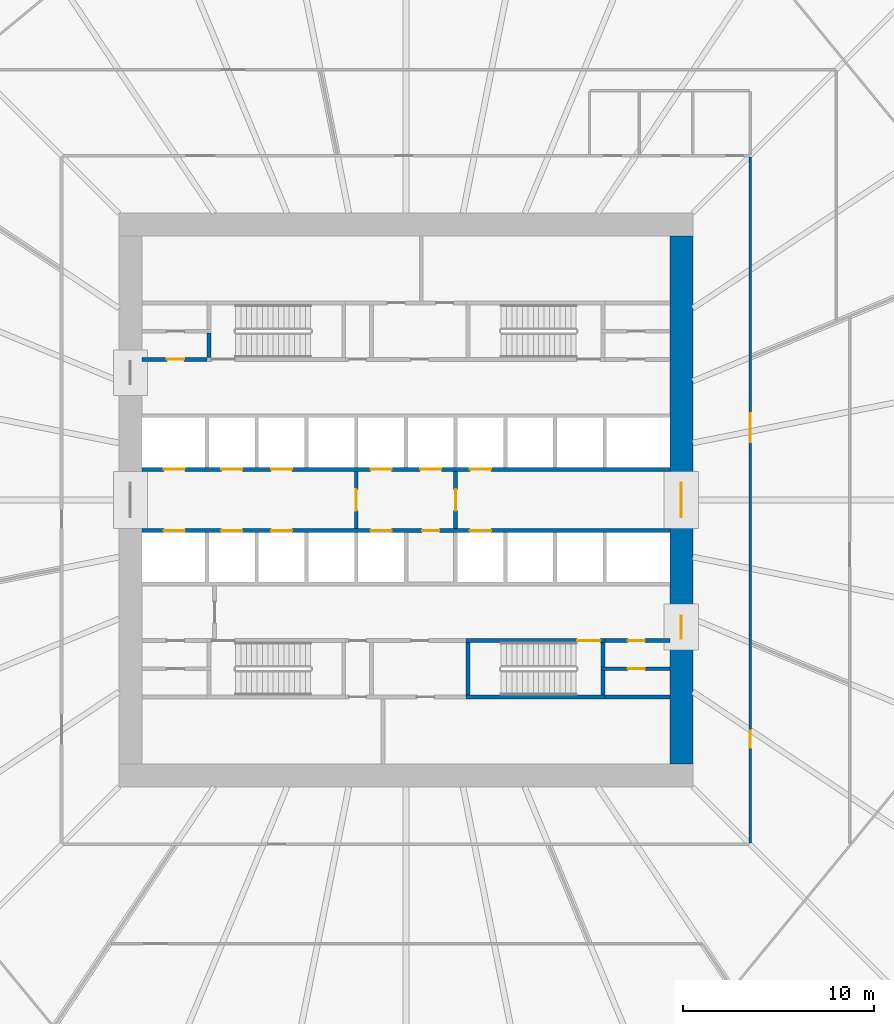
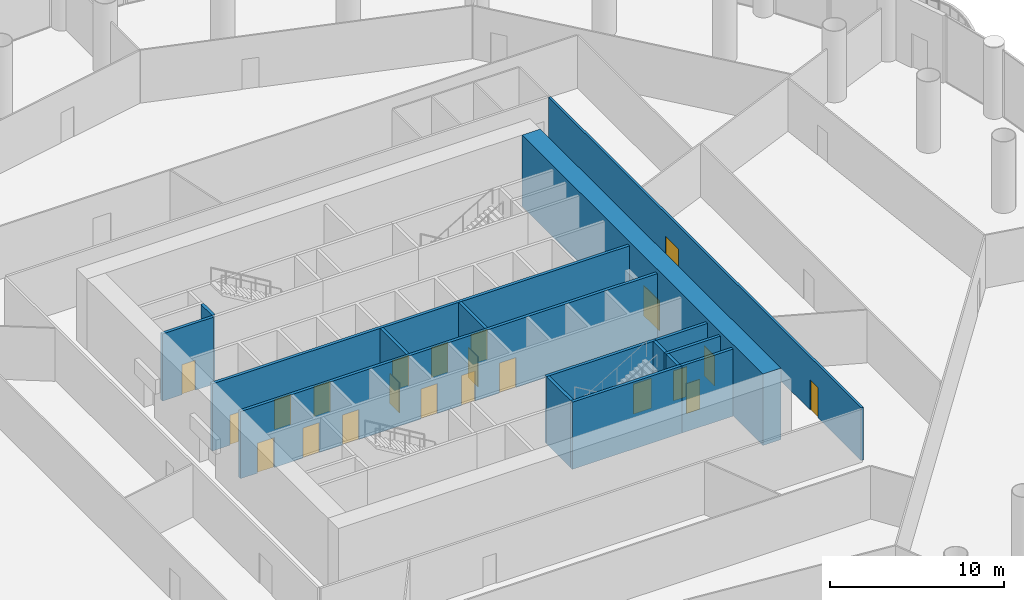
# One storey, part 26 of 38: 22 doors, 16 walls, 22 openings.
"""IFC4 building model written with IfcOpenShell, lengths in metres."""

import ifcopenshell
import ifcopenshell.guid

model = None  # the IFC model being written
_history = None  # IfcOwnerHistory: only IFC2X3 demands one
_inside = {}  # id of a spatial element -> (the spatial element, [elements in it])
_under = {}  # id of a project, library or spatial element -> (it, [spatial elements below it])
_declared = {}  # id of a project -> (the project, [libraries it declares])
_typed = {}  # id of a type object -> (the type object, [elements of that type])
_made_of = {}  # id of a material, layer set ... -> (it, [elements and type objects made of it])


def new_model(schema):
    """Start an empty IFC model of exactly this schema.

    Asked for "IFC4X3", IfcOpenShell would pick the latest addendum, in which some entities
    have other attributes; the version numbers below select the first issue.
    IFC2X3 requires an IfcOwnerHistory on every rooted entity: one is made here for all.
    """
    global model, _history
    if schema == "IFC4X3":
        model = ifcopenshell.file(schema_version=(4, 3, 0, 0))
    else:
        model = ifcopenshell.file(schema=schema)
    _inside.clear()
    _under.clear()
    _declared.clear()
    _typed.clear()
    _made_of.clear()
    _history = None
    if model.schema == "IFC2X3":
        org = make("IfcOrganization", Name="unknown")
        user = make(
            "IfcPersonAndOrganization",
            ThePerson=make("IfcPerson", FamilyName="unknown"),
            TheOrganization=org,
        )
        app = make(
            "IfcApplication",
            ApplicationDeveloper=org,
            Version="unknown",
            ApplicationFullName="unknown",
            ApplicationIdentifier="unknown",
        )
        _history = make(
            "IfcOwnerHistory",
            OwningUser=user,
            OwningApplication=app,
            ChangeAction="ADDED",
            CreationDate=0,
        )
    return model


def make(cls, **values):
    """One entity of the class cls with the attributes given. An attribute that is None is left unset."""
    return model.create_entity(
        cls, **{name: value for name, value in values.items() if value is not None}
    )


def rooted(cls, **values):
    """An entity with a GlobalId (a new one), such as an element, a storey or a relation."""
    return make(cls, GlobalId=ifcopenshell.guid.new(), OwnerHistory=_history, **values)


def si_unit(unit_type, name, prefix=None):
    """IfcSIUnit, for example si_unit("LENGTHUNIT", "METRE", prefix="MILLI")."""
    return make("IfcSIUnit", UnitType=unit_type, Prefix=prefix, Name=name)


def assignment(units):
    """IfcUnitAssignment: the units of a project."""
    return None if units is None else make("IfcUnitAssignment", Units=units)


def point(xyz):
    """IfcCartesianPoint."""
    return None if xyz is None else make("IfcCartesianPoint", Coordinates=xyz)


def direction(xyz):
    """IfcDirection."""
    return None if xyz is None else make("IfcDirection", DirectionRatios=xyz)


def frame(location, z_axis=None, x_axis=None):
    """IfcAxis2Placement3D, a coordinate frame: its origin and axes. An axis left out is left unset."""
    return make(
        "IfcAxis2Placement3D",
        Location=point(location),
        Axis=direction(z_axis),
        RefDirection=direction(x_axis),
    )


def frame_2d(location, x_axis=None):
    """IfcAxis2Placement2D, a coordinate frame in the plane: its origin and x axis."""
    return make(
        "IfcAxis2Placement2D", Location=point(location), RefDirection=direction(x_axis)
    )


def origin():
    """The frame at (0, 0, 0) with its axes left unset."""
    return frame((0.0, 0.0, 0.0))


def place(relative_to, where):
    """IfcLocalPlacement: puts the frame where relative to a parent placement (None: the world)."""
    return make(
        "IfcLocalPlacement", PlacementRelTo=relative_to, RelativePlacement=where
    )


def context(
    kind, dimensions, precision=None, world=None, true_north=None, identifier=None
):
    """IfcGeometricRepresentationContext, for example the 3D "Model" context."""
    return make(
        "IfcGeometricRepresentationContext",
        ContextIdentifier=identifier,
        ContextType=kind,
        CoordinateSpaceDimension=dimensions,
        Precision=precision,
        WorldCoordinateSystem=world,
        TrueNorth=true_north,
    )


def subcontext(parent, identifier, kind, view, scale=None):
    """IfcGeometricRepresentationSubContext, for example "Body" below "Model"."""
    return make(
        "IfcGeometricRepresentationSubContext",
        ContextIdentifier=identifier,
        ContextType=kind,
        ParentContext=parent,
        TargetScale=scale,
        TargetView=view,
    )


def project(units=None, contexts=None):
    """IfcProject with its units and contexts."""
    return rooted(
        "IfcProject",
        Name="project",
        RepresentationContexts=contexts,
        UnitsInContext=assignment(units),
    )


def spatial(cls, under=None, at=None, **own):
    """A site, building, storey or space (cls), placed at a placement, below another one or the project."""
    s = rooted(cls, ObjectPlacement=at, **own)
    if under is not None:
        _under.setdefault(under.id(), (under, []))[1].append(s)
    return s


def polyline(points):
    """IfcPolyline through the points."""
    return make("IfcPolyline", Points=[point(p) for p in points])


def profile(cls, at=None, kind="AREA", **sizes):
    """A parametric profile (cls). Its sizes go by their IFC names, for example OverallWidth=200.0."""
    return make(cls, ProfileType=kind, Position=at, **sizes)


def rectangle(**sizes):
    """IfcRectangleProfileDef."""
    return profile("IfcRectangleProfileDef", **sizes)


def outline(outer, holes=None, kind="AREA"):
    """IfcArbitraryClosedProfileDef: a profile drawn as a closed curve; with holes, ...WithVoids."""
    if holes is None:
        return make("IfcArbitraryClosedProfileDef", ProfileType=kind, OuterCurve=outer)
    return make(
        "IfcArbitraryProfileDefWithVoids",
        ProfileType=kind,
        OuterCurve=outer,
        InnerCurves=holes,
    )


def extrude(swept, where, along, depth):
    """IfcExtrudedAreaSolid: the profile swept, set in the frame where, extruded along a direction by depth."""
    return make(
        "IfcExtrudedAreaSolid",
        SweptArea=swept,
        Position=where,
        ExtrudedDirection=direction(along),
        Depth=depth,
    )


def shape(context_of_items, identifier, shape_type, items):
    """IfcShapeRepresentation: the items that make up one representation, for example the "Body"."""
    return make(
        "IfcShapeRepresentation",
        ContextOfItems=context_of_items,
        RepresentationIdentifier=identifier,
        RepresentationType=shape_type,
        Items=items,
    )


def material(Name=None, Category=None):
    """IfcMaterial."""
    return make("IfcMaterial", Name=Name, Category=Category)


def layer(
    of_material, thickness, ventilated=None, Name=None, Category=None, Priority=None
):
    """IfcMaterialLayer: one layer of a wall or slab, of a material (None: an air gap)."""
    return make(
        "IfcMaterialLayer",
        Material=of_material,
        LayerThickness=thickness,
        IsVentilated=ventilated,
        Name=Name,
        Category=Category,
        Priority=Priority,
    )


def layer_set(layers, Name=None):
    """IfcMaterialLayerSet."""
    return make("IfcMaterialLayerSet", MaterialLayers=layers, LayerSetName=Name)


def made_of(thing, what):
    """Note that an element or type object is made of a material, layer set ...; save() writes the relation."""
    if what is not None:
        _made_of.setdefault(what.id(), (what, []))[1].append(thing)
    return thing


def type_object(cls, material=None, **own):
    """A type object (cls), such as IfcWallType, which elements share."""
    return made_of(rooted(cls, **own), material)


def element(
    cls,
    number,
    at=None,
    inside=None,
    cuts=None,
    type_object=None,
    material=None,
    context=None,
    identifier="Body",
    shape_type=None,
    held_by="IfcProductDefinitionShape",
    body=None,
    shapes=None,
    **own,
):
    """One element of the class cls, such as IfcWall. Its Tag is "e" and its number.

    at: its placement. inside: the storey or other place that contains it. cuts: it is an
    opening in that element (IfcRelVoidsElement). A single representation is given by context,
    identifier, shape_type and body (its items); several are given by shapes. held_by: the class
    of the entity that holds the representations. save() writes the other relations.
    """
    e = rooted(cls, Tag="e%d" % number, ObjectPlacement=at, **own)
    if body is not None:
        shapes = [shape(context, identifier, shape_type, body)]
    if shapes is not None:
        e.Representation = make(held_by, Representations=shapes)
    if inside is not None:
        _inside.setdefault(inside.id(), (inside, []))[1].append(e)
    if cuts is not None:
        rooted(
            "IfcRelVoidsElement", RelatingBuildingElement=cuts, RelatedOpeningElement=e
        )
    if type_object is not None:
        _typed.setdefault(type_object.id(), (type_object, []))[1].append(e)
    return made_of(e, material)


def fill(opening, filler):
    """IfcRelFillsElement: the door or window that sits in an opening."""
    return rooted(
        "IfcRelFillsElement",
        RelatingOpeningElement=opening,
        RelatedBuildingElement=filler,
    )


def aggregate(whole, parts):
    """IfcRelAggregates: a whole, such as a stair, and the parts it consists of."""
    return rooted("IfcRelAggregates", RelatingObject=whole, RelatedObjects=parts)


def save(model, path):
    """Write the relations noted so far, then the file.

    IfcRelAggregates (storeys below a building ...), IfcRelContainedInSpatialStructure (elements
    in a storey), IfcRelDefinesByType, IfcRelAssociatesMaterial and IfcRelDeclares: one each for
    every whole, place, type object, material and project.
    """
    for whole, parts in _under.values():
        aggregate(whole, parts)
    for where, things in _inside.values():
        rooted(
            "IfcRelContainedInSpatialStructure",
            RelatedElements=things,
            RelatingStructure=where,
        )
    for kind, things in _typed.values():
        rooted("IfcRelDefinesByType", RelatedObjects=things, RelatingType=kind)
    for what, things in _made_of.values():
        rooted("IfcRelAssociatesMaterial", RelatedObjects=things, RelatingMaterial=what)
    for by, libraries in _declared.values():
        rooted("IfcRelDeclares", RelatingContext=by, RelatedDefinitions=libraries)
    model.write(path)


model = new_model("IFC4")

# Units and contexts
model_context = context("Model", 3, precision=1e-05, world=origin(), true_north=direction((0.0, 1.0)))
body_context = subcontext(model_context, "Body", "Model", "MODEL_VIEW")
ifc_project = project(units=[si_unit("LENGTHUNIT", "METRE"), si_unit("AREAUNIT", "SQUARE_METRE"), si_unit("VOLUMEUNIT", "CUBIC_METRE"), si_unit("PLANEANGLEUNIT", "RADIAN"), si_unit("MASSUNIT", "GRAM", prefix="KILO")], contexts=[model_context])

# Site, building, storey
site_placement = place(None, origin())
site = spatial("IfcSite", under=ifc_project, at=site_placement, CompositionType="ELEMENT")
building_placement = place(site_placement, origin())
building = spatial("IfcBuilding", under=site, at=building_placement, Name="Corvane Civic Tower", CompositionType="ELEMENT")
storey_placement = place(building_placement, frame((0.0, 0.0, 32.0)))
storey = spatial("IfcBuildingStorey", under=building, at=storey_placement, Name="L06", CompositionType="ELEMENT", Elevation=32.0)

# Wall, openings, doors
ifc_material_1 = material(Name="Concrete C80/95", Category="concrete")
ifc_layer_1 = layer(ifc_material_1, 1.199951171875)
ifc_layer_set_1 = layer_set([ifc_layer_1], Name="Concrete C80/95")
wall_type_1 = type_object("IfcWallType", Name="CORE WALL 1200 C80/95", PredefinedType="SHEAR", material=ifc_layer_set_1)
wall_1_placement = place(storey_placement, frame((14.39990234375, -13.800048828125, 0.0), z_axis=(0.0, 0.0, 1.0), x_axis=(0.0, 1.0, 0.0)))
wall_1 = element("IfcWall", 1, at=wall_1_placement, inside=storey, type_object=wall_type_1, Name="W-L06-core-E", PredefinedType="SHEAR", context=body_context, shape_type="SweptSolid", body=[
    extrude(rectangle(XDim=27.60009765625, YDim=1.199951171875, at=frame_2d((13.800048828125, 0.0))), origin(), (0.0, 0.0, 1.0), 5.0),
])
opening_1_placement = place(wall_1_placement, frame((12.89990234375, 0.0, 0.0)))
opening_1 = element("IfcOpeningElement", 2, at=opening_1_placement, cuts=wall_1, Name="Opening L06.C26", PredefinedType="OPENING", context=body_context, shape_type="SweptSolid", body=[
    extrude(rectangle(XDim=1.800048828125, YDim=2.10009765625, at=frame_2d((0.89990234375, 1.050048828125))), frame((0.0, 0.60986328125, 0.0), z_axis=(0.0, -1.0, 0.0), x_axis=(1.0, 0.0, 0.0)), (0.0, 0.0, 1.0), 1.219970703125),
])
opening_2_placement = place(wall_1_placement, frame((6.550048828125, 0.0, 0.0)))
opening_2 = element("IfcOpeningElement", 3, at=opening_2_placement, cuts=wall_1, Name="Opening L06.C28", PredefinedType="OPENING", context=body_context, shape_type="SweptSolid", body=[
    extrude(rectangle(XDim=1.199951171875, YDim=2.10009765625, at=frame_2d((0.60009765625, 1.050048828125))), frame((0.0, 0.60986328125, 0.0), z_axis=(0.0, -1.0, 0.0), x_axis=(1.0, 0.0, 0.0)), (0.0, 0.0, 1.0), 1.219970703125),
])
ifc_material_2 = material(Name="Steel fire door leaf", Category="steel")
door_type_1 = type_object("IfcDoorType", Name="CR-DOOR-CORE-1800", OperationType="DOUBLE_DOOR_SINGLE_SWING", PredefinedType="DOOR", material=ifc_material_2)
door_1_placement = place(opening_1_placement, origin())
door_1 = element("IfcDoor", 4, at=door_1_placement, inside=storey, type_object=door_type_1, Name="L06 door", OperationType="DOUBLE_DOOR_SINGLE_SWING", OverallHeight=2.10009765625, OverallWidth=1.800048828125, PredefinedType="DOOR", context=body_context, shape_type="SweptSolid", body=[
    extrude(rectangle(XDim=1.800048828125, YDim=2.10009765625, at=frame_2d((0.89990234375, 1.050048828125))), frame((0.0, 0.02490234375, 0.0), z_axis=(0.0, -1.0, 0.0), x_axis=(1.0, 0.0, 0.0)), (0.0, 0.0, 1.0), 0.050048828125),
])
fill(opening_1, door_1)
door_2_placement = place(opening_2_placement, origin())
door_2 = element("IfcDoor", 5, at=door_2_placement, inside=storey, type_object=door_type_1, Name="L06 door", OperationType="DOUBLE_DOOR_SINGLE_SWING", OverallHeight=2.10009765625, OverallWidth=1.199951171875, PredefinedType="DOOR", context=body_context, shape_type="SweptSolid", body=[
    extrude(rectangle(XDim=1.199951171875, YDim=2.10009765625, at=frame_2d((0.60009765625, 1.050048828125))), frame((0.0, 0.02490234375, 0.0), z_axis=(0.0, -1.0, 0.0), x_axis=(1.0, 0.0, 0.0)), (0.0, 0.0, 1.0), 0.050048828125),
])
fill(opening_2, door_2)

# Wall, opening, door
ifc_material_3 = material(Name="Concrete C30/37", Category="concrete")
ifc_layer_2 = layer(ifc_material_3, 0.199951171875)
ifc_layer_set_2 = layer_set([ifc_layer_2], Name="Concrete C30/37")
wall_type_2 = type_object("IfcWallType", Name="CR-WALL-200", PredefinedType="PARTITIONING", material=ifc_layer_set_2)
wall_2_placement = place(storey_placement, frame((10.199951171875, -8.824951171875, 0.0), z_axis=(0.0, 0.0, 1.0), x_axis=(1.0, 0.0, 0.0)))
wall_2 = element("IfcWall", 6, at=wall_2_placement, inside=storey, type_object=wall_type_2, Name="L06 partition wall", PredefinedType="PARTITIONING", context=body_context, shape_type="SweptSolid", body=[
    extrude(rectangle(XDim=3.60009765625, YDim=0.199951171875, at=frame_2d((1.800048828125, 0.0))), origin(), (0.0, 0.0, 1.0), 4.699951171875),
])
opening_3_placement = place(wall_2_placement, frame((1.39990234375, 0.0, 0.0)))
opening_3 = element("IfcOpeningElement", 7, at=opening_3_placement, cuts=wall_2, Name="Opening L06.C17", PredefinedType="OPENING", context=body_context, shape_type="SweptSolid", body=[
    extrude(rectangle(XDim=0.89990234375, YDim=2.10009765625, at=frame_2d((0.449951171875, 1.050048828125))), frame((0.0, 0.10986328125, 0.0), z_axis=(0.0, -1.0, 0.0), x_axis=(1.0, 0.0, 0.0)), (0.0, 0.0, 1.0), 0.219970703125),
])
ifc_material_4 = material(Name="Steel fire door leaf", Category="steel")
door_type_2 = type_object("IfcDoorType", Name="CR-DOOR-900", OperationType="SINGLE_SWING_LEFT", PredefinedType="DOOR", material=ifc_material_4)
door_3_placement = place(opening_3_placement, origin())
door_3 = element("IfcDoor", 8, at=door_3_placement, inside=storey, type_object=door_type_2, Name="L06 door", OperationType="SINGLE_SWING_LEFT", OverallHeight=2.10009765625, OverallWidth=0.89990234375, PredefinedType="DOOR", context=body_context, shape_type="SweptSolid", body=[
    extrude(rectangle(XDim=0.89990234375, YDim=2.10009765625, at=frame_2d((0.449951171875, 1.050048828125))), frame((0.0, 0.02490234375, 0.0), z_axis=(0.0, -1.0, 0.0), x_axis=(1.0, 0.0, 0.0)), (0.0, 0.0, 1.0), 0.050048828125),
])
fill(opening_3, door_3)

wall_3_placement = place(storey_placement, frame((10.39990234375, -7.35009765625, 0.0), z_axis=(0.0, 0.0, 1.0), x_axis=(1.0, 0.0, 0.0)))
wall_3 = element("IfcWall", 9, at=wall_3_placement, inside=storey, type_object=wall_type_2, Name="L06 core partition wall", PredefinedType="PARTITIONING", context=body_context, shape_type="SweptSolid", body=[
    extrude(rectangle(XDim=3.400146484375, YDim=0.199951171875, at=frame_2d((1.7001953125, 0.0))), origin(), (0.0, 0.0, 1.0), 4.699951171875),
])
opening_4_placement = place(wall_3_placement, frame((1.199951171875, 0.0, 0.0)))
opening_4 = element("IfcOpeningElement", 10, at=opening_4_placement, cuts=wall_3, Name="Opening L06.C16", PredefinedType="OPENING", context=body_context, shape_type="SweptSolid", body=[
    extrude(rectangle(XDim=0.89990234375, YDim=2.10009765625, at=frame_2d((0.449951171875, 1.050048828125))), frame((0.0, 0.10986328125, 0.0), z_axis=(0.0, -1.0, 0.0), x_axis=(1.0, 0.0, 0.0)), (0.0, 0.0, 1.0), 0.219970703125),
])
door_4_placement = place(opening_4_placement, origin())
door_4 = element("IfcDoor", 11, at=door_4_placement, inside=storey, type_object=door_type_2, Name="L06 door", OperationType="SINGLE_SWING_LEFT", OverallHeight=2.10009765625, OverallWidth=0.89990234375, PredefinedType="DOOR", context=body_context, shape_type="SweptSolid", body=[
    extrude(rectangle(XDim=0.89990234375, YDim=2.10009765625, at=frame_2d((0.449951171875, 1.050048828125))), frame((0.0, 0.02490234375, 0.0), z_axis=(0.0, -1.0, 0.0), x_axis=(1.0, 0.0, 0.0)), (0.0, 0.0, 1.0), 0.050048828125),
])
fill(opening_4, door_4)

# Wall, openings, doors
wall_4_placement = place(storey_placement, frame((-13.800048828125, -1.60009765625, 0.0), z_axis=(0.0, 0.0, 1.0), x_axis=(1.0, 0.0, 0.0)))
wall_4 = element("IfcWall", 12, at=wall_4_placement, inside=storey, type_object=wall_type_2, Name="L06 lift shaft wall", PredefinedType="PARTITIONING", context=body_context, shape_type="SweptSolid", body=[
    extrude(rectangle(XDim=27.60009765625, YDim=0.199951171875, at=frame_2d((13.800048828125, 0.0))), origin(), (0.0, 0.0, 1.0), 4.699951171875),
])
opening_5_placement = place(wall_4_placement, frame((1.14990234375, 0.0, 0.0)))
opening_5 = element("IfcOpeningElement", 13, at=opening_5_placement, cuts=wall_4, Name="Opening LD", PredefinedType="OPENING", context=body_context, shape_type="SweptSolid", body=[
    extrude(rectangle(XDim=1.10009765625, YDim=2.10009765625, at=frame_2d((0.550048828125, 1.050048828125))), frame((0.0, 0.10986328125, 0.0), z_axis=(0.0, -1.0, 0.0), x_axis=(1.0, 0.0, 0.0)), (0.0, 0.0, 1.0), 0.219970703125),
])
opening_6_placement = place(wall_4_placement, frame((4.14990234375, 0.0, 0.0)))
opening_6 = element("IfcOpeningElement", 14, at=opening_6_placement, cuts=wall_4, Name="Opening LD", PredefinedType="OPENING", context=body_context, shape_type="SweptSolid", body=[
    extrude(rectangle(XDim=1.10009765625, YDim=2.10009765625, at=frame_2d((0.550048828125, 1.050048828125))), frame((0.0, 0.10986328125, 0.0), z_axis=(0.0, -1.0, 0.0), x_axis=(1.0, 0.0, 0.0)), (0.0, 0.0, 1.0), 0.219970703125),
])
opening_7_placement = place(wall_4_placement, frame((6.75, 0.0, 0.0)))
opening_7 = element("IfcOpeningElement", 15, at=opening_7_placement, cuts=wall_4, Name="Opening LD", PredefinedType="OPENING", context=body_context, shape_type="SweptSolid", body=[
    extrude(rectangle(XDim=1.10009765625, YDim=2.10009765625, at=frame_2d((0.550048828125, 1.050048828125))), frame((0.0, 0.10986328125, 0.0), z_axis=(0.0, -1.0, 0.0), x_axis=(1.0, 0.0, 0.0)), (0.0, 0.0, 1.0), 0.219970703125),
])
opening_8_placement = place(wall_4_placement, frame((11.949951171875, 0.0, 0.0)))
opening_8 = element("IfcOpeningElement", 16, at=opening_8_placement, cuts=wall_4, Name="Opening LD", PredefinedType="OPENING", context=body_context, shape_type="SweptSolid", body=[
    extrude(rectangle(XDim=1.10009765625, YDim=2.10009765625, at=frame_2d((0.550048828125, 1.050048828125))), frame((0.0, 0.10986328125, 0.0), z_axis=(0.0, -1.0, 0.0), x_axis=(1.0, 0.0, 0.0)), (0.0, 0.0, 1.0), 0.219970703125),
])
opening_9_placement = place(wall_4_placement, frame((14.64990234375, 0.0, 0.0)))
opening_9 = element("IfcOpeningElement", 17, at=opening_9_placement, cuts=wall_4, Name="Opening L06.C01", PredefinedType="OPENING", context=body_context, shape_type="SweptSolid", body=[
    extrude(rectangle(XDim=0.89990234375, YDim=2.10009765625, at=frame_2d((0.449951171875, 1.050048828125))), frame((0.0, 0.10986328125, 0.0), z_axis=(0.0, -1.0, 0.0), x_axis=(1.0, 0.0, 0.0)), (0.0, 0.0, 1.0), 0.219970703125),
])
opening_10_placement = place(wall_4_placement, frame((17.14990234375, 0.0, 0.0)))
opening_10 = element("IfcOpeningElement", 18, at=opening_10_placement, cuts=wall_4, Name="Opening LD", PredefinedType="OPENING", context=body_context, shape_type="SweptSolid", body=[
    extrude(rectangle(XDim=1.10009765625, YDim=2.10009765625, at=frame_2d((0.550048828125, 1.050048828125))), frame((0.0, 0.10986328125, 0.0), z_axis=(0.0, -1.0, 0.0), x_axis=(1.0, 0.0, 0.0)), (0.0, 0.0, 1.0), 0.219970703125),
])
door_5_placement = place(opening_9_placement, origin())
door_5 = element("IfcDoor", 19, at=door_5_placement, inside=storey, type_object=door_type_2, Name="L06 door", OperationType="SINGLE_SWING_LEFT", OverallHeight=2.10009765625, OverallWidth=0.89990234375, PredefinedType="DOOR", context=body_context, shape_type="SweptSolid", body=[
    extrude(rectangle(XDim=0.89990234375, YDim=2.10009765625, at=frame_2d((0.449951171875, 1.050048828125))), frame((0.0, 0.02490234375, 0.0), z_axis=(0.0, -1.0, 0.0), x_axis=(1.0, 0.0, 0.0)), (0.0, 0.0, 1.0), 0.050048828125),
])
fill(opening_9, door_5)
ifc_material_5 = material(Name="Stainless steel 316 door leaves", Category="steel")
door_type_3 = type_object("IfcDoorType", Name="LD", OperationType="DOUBLE_DOOR_SLIDING", PredefinedType="DOOR", material=ifc_material_5)
door_6_placement = place(opening_5_placement, origin())
door_6 = element("IfcDoor", 20, at=door_6_placement, inside=storey, type_object=door_type_3, Name="L06 landing door", OperationType="DOUBLE_DOOR_SLIDING", OverallHeight=2.10009765625, OverallWidth=1.10009765625, PredefinedType="DOOR", context=body_context, shape_type="SweptSolid", body=[
    extrude(rectangle(XDim=1.10009765625, YDim=2.10009765625, at=frame_2d((0.550048828125, 1.050048828125))), frame((0.0, 0.02490234375, 0.0), z_axis=(0.0, -1.0, 0.0), x_axis=(1.0, 0.0, 0.0)), (0.0, 0.0, 1.0), 0.050048828125),
])
fill(opening_5, door_6)
door_7_placement = place(opening_6_placement, origin())
door_7 = element("IfcDoor", 21, at=door_7_placement, inside=storey, type_object=door_type_3, Name="L06 landing door", OperationType="DOUBLE_DOOR_SLIDING", OverallHeight=2.10009765625, OverallWidth=1.10009765625, PredefinedType="DOOR", context=body_context, shape_type="SweptSolid", body=[
    extrude(rectangle(XDim=1.10009765625, YDim=2.10009765625, at=frame_2d((0.550048828125, 1.050048828125))), frame((0.0, 0.02490234375, 0.0), z_axis=(0.0, -1.0, 0.0), x_axis=(1.0, 0.0, 0.0)), (0.0, 0.0, 1.0), 0.050048828125),
])
fill(opening_6, door_7)
door_8_placement = place(opening_7_placement, origin())
door_8 = element("IfcDoor", 22, at=door_8_placement, inside=storey, type_object=door_type_3, Name="L06 landing door", OperationType="DOUBLE_DOOR_SLIDING", OverallHeight=2.10009765625, OverallWidth=1.10009765625, PredefinedType="DOOR", context=body_context, shape_type="SweptSolid", body=[
    extrude(rectangle(XDim=1.10009765625, YDim=2.10009765625, at=frame_2d((0.550048828125, 1.050048828125))), frame((0.0, 0.02490234375, 0.0), z_axis=(0.0, -1.0, 0.0), x_axis=(1.0, 0.0, 0.0)), (0.0, 0.0, 1.0), 0.050048828125),
])
fill(opening_7, door_8)
door_9_placement = place(opening_8_placement, origin())
door_9 = element("IfcDoor", 23, at=door_9_placement, inside=storey, type_object=door_type_3, Name="L06 landing door", OperationType="DOUBLE_DOOR_SLIDING", OverallHeight=2.10009765625, OverallWidth=1.10009765625, PredefinedType="DOOR", context=body_context, shape_type="SweptSolid", body=[
    extrude(rectangle(XDim=1.10009765625, YDim=2.10009765625, at=frame_2d((0.550048828125, 1.050048828125))), frame((0.0, 0.02490234375, 0.0), z_axis=(0.0, -1.0, 0.0), x_axis=(1.0, 0.0, 0.0)), (0.0, 0.0, 1.0), 0.050048828125),
])
fill(opening_8, door_9)
door_10_placement = place(opening_10_placement, origin())
door_10 = element("IfcDoor", 24, at=door_10_placement, inside=storey, type_object=door_type_3, Name="L06 landing door", OperationType="DOUBLE_DOOR_SLIDING", OverallHeight=2.10009765625, OverallWidth=1.10009765625, PredefinedType="DOOR", context=body_context, shape_type="SweptSolid", body=[
    extrude(rectangle(XDim=1.10009765625, YDim=2.10009765625, at=frame_2d((0.550048828125, 1.050048828125))), frame((0.0, 0.02490234375, 0.0), z_axis=(0.0, -1.0, 0.0), x_axis=(1.0, 0.0, 0.0)), (0.0, 0.0, 1.0), 0.050048828125),
])
fill(opening_10, door_10)

wall_5_placement = place(storey_placement, frame((-13.800048828125, 1.60009765625, 0.0), z_axis=(0.0, 0.0, 1.0), x_axis=(1.0, 0.0, 0.0)))
wall_5 = element("IfcWall", 25, at=wall_5_placement, inside=storey, type_object=wall_type_2, Name="L06 lift shaft wall", PredefinedType="PARTITIONING", context=body_context, shape_type="SweptSolid", body=[
    extrude(rectangle(XDim=27.60009765625, YDim=0.199951171875, at=frame_2d((13.800048828125, 0.0))), origin(), (0.0, 0.0, 1.0), 4.699951171875),
])
opening_11_placement = place(wall_5_placement, frame((1.14990234375, 0.0, 0.0)))
opening_11 = element("IfcOpeningElement", 26, at=opening_11_placement, cuts=wall_5, Name="Opening LD", PredefinedType="OPENING", context=body_context, shape_type="SweptSolid", body=[
    extrude(rectangle(XDim=1.10009765625, YDim=2.10009765625, at=frame_2d((0.550048828125, 1.050048828125))), frame((0.0, 0.10986328125, 0.0), z_axis=(0.0, -1.0, 0.0), x_axis=(1.0, 0.0, 0.0)), (0.0, 0.0, 1.0), 0.219970703125),
])
opening_12_placement = place(wall_5_placement, frame((4.14990234375, 0.0, 0.0)))
opening_12 = element("IfcOpeningElement", 27, at=opening_12_placement, cuts=wall_5, Name="Opening LD", PredefinedType="OPENING", context=body_context, shape_type="SweptSolid", body=[
    extrude(rectangle(XDim=1.10009765625, YDim=2.10009765625, at=frame_2d((0.550048828125, 1.050048828125))), frame((0.0, 0.10986328125, 0.0), z_axis=(0.0, -1.0, 0.0), x_axis=(1.0, 0.0, 0.0)), (0.0, 0.0, 1.0), 0.219970703125),
])
opening_13_placement = place(wall_5_placement, frame((6.75, 0.0, 0.0)))
opening_13 = element("IfcOpeningElement", 28, at=opening_13_placement, cuts=wall_5, Name="Opening LD", PredefinedType="OPENING", context=body_context, shape_type="SweptSolid", body=[
    extrude(rectangle(XDim=1.10009765625, YDim=2.10009765625, at=frame_2d((0.550048828125, 1.050048828125))), frame((0.0, 0.10986328125, 0.0), z_axis=(0.0, -1.0, 0.0), x_axis=(1.0, 0.0, 0.0)), (0.0, 0.0, 1.0), 0.219970703125),
])
opening_14_placement = place(wall_5_placement, frame((11.949951171875, 0.0, 0.0)))
opening_14 = element("IfcOpeningElement", 29, at=opening_14_placement, cuts=wall_5, Name="Opening LD", PredefinedType="OPENING", context=body_context, shape_type="SweptSolid", body=[
    extrude(rectangle(XDim=1.10009765625, YDim=2.10009765625, at=frame_2d((0.550048828125, 1.050048828125))), frame((0.0, 0.10986328125, 0.0), z_axis=(0.0, -1.0, 0.0), x_axis=(1.0, 0.0, 0.0)), (0.0, 0.0, 1.0), 0.219970703125),
])
opening_15_placement = place(wall_5_placement, frame((14.550048828125, 0.0, 0.0)))
opening_15 = element("IfcOpeningElement", 30, at=opening_15_placement, cuts=wall_5, Name="Opening LD", PredefinedType="OPENING", context=body_context, shape_type="SweptSolid", body=[
    extrude(rectangle(XDim=1.10009765625, YDim=2.10009765625, at=frame_2d((0.550048828125, 1.050048828125))), frame((0.0, 0.10986328125, 0.0), z_axis=(0.0, -1.0, 0.0), x_axis=(1.0, 0.0, 0.0)), (0.0, 0.0, 1.0), 0.219970703125),
])
opening_16_placement = place(wall_5_placement, frame((17.14990234375, 0.0, 0.0)))
opening_16 = element("IfcOpeningElement", 31, at=opening_16_placement, cuts=wall_5, Name="Opening LD", PredefinedType="OPENING", context=body_context, shape_type="SweptSolid", body=[
    extrude(rectangle(XDim=1.10009765625, YDim=2.10009765625, at=frame_2d((0.550048828125, 1.050048828125))), frame((0.0, 0.10986328125, 0.0), z_axis=(0.0, -1.0, 0.0), x_axis=(1.0, 0.0, 0.0)), (0.0, 0.0, 1.0), 0.219970703125),
])
door_11_placement = place(opening_11_placement, origin())
door_11 = element("IfcDoor", 32, at=door_11_placement, inside=storey, type_object=door_type_3, Name="L06 landing door", OperationType="DOUBLE_DOOR_SLIDING", OverallHeight=2.10009765625, OverallWidth=1.10009765625, PredefinedType="DOOR", context=body_context, shape_type="SweptSolid", body=[
    extrude(rectangle(XDim=1.10009765625, YDim=2.10009765625, at=frame_2d((0.550048828125, 1.050048828125))), frame((0.0, 0.02490234375, 0.0), z_axis=(0.0, -1.0, 0.0), x_axis=(1.0, 0.0, 0.0)), (0.0, 0.0, 1.0), 0.050048828125),
])
fill(opening_11, door_11)
door_12_placement = place(opening_12_placement, origin())
door_12 = element("IfcDoor", 33, at=door_12_placement, inside=storey, type_object=door_type_3, Name="L06 landing door", OperationType="DOUBLE_DOOR_SLIDING", OverallHeight=2.10009765625, OverallWidth=1.10009765625, PredefinedType="DOOR", context=body_context, shape_type="SweptSolid", body=[
    extrude(rectangle(XDim=1.10009765625, YDim=2.10009765625, at=frame_2d((0.550048828125, 1.050048828125))), frame((0.0, 0.02490234375, 0.0), z_axis=(0.0, -1.0, 0.0), x_axis=(1.0, 0.0, 0.0)), (0.0, 0.0, 1.0), 0.050048828125),
])
fill(opening_12, door_12)
door_13_placement = place(opening_13_placement, origin())
door_13 = element("IfcDoor", 34, at=door_13_placement, inside=storey, type_object=door_type_3, Name="L06 landing door", OperationType="DOUBLE_DOOR_SLIDING", OverallHeight=2.10009765625, OverallWidth=1.10009765625, PredefinedType="DOOR", context=body_context, shape_type="SweptSolid", body=[
    extrude(rectangle(XDim=1.10009765625, YDim=2.10009765625, at=frame_2d((0.550048828125, 1.050048828125))), frame((0.0, 0.02490234375, 0.0), z_axis=(0.0, -1.0, 0.0), x_axis=(1.0, 0.0, 0.0)), (0.0, 0.0, 1.0), 0.050048828125),
])
fill(opening_13, door_13)
door_14_placement = place(opening_14_placement, origin())
door_14 = element("IfcDoor", 35, at=door_14_placement, inside=storey, type_object=door_type_3, Name="L06 landing door", OperationType="DOUBLE_DOOR_SLIDING", OverallHeight=2.10009765625, OverallWidth=1.10009765625, PredefinedType="DOOR", context=body_context, shape_type="SweptSolid", body=[
    extrude(rectangle(XDim=1.10009765625, YDim=2.10009765625, at=frame_2d((0.550048828125, 1.050048828125))), frame((0.0, 0.02490234375, 0.0), z_axis=(0.0, -1.0, 0.0), x_axis=(1.0, 0.0, 0.0)), (0.0, 0.0, 1.0), 0.050048828125),
])
fill(opening_14, door_14)
door_15_placement = place(opening_15_placement, origin())
door_15 = element("IfcDoor", 36, at=door_15_placement, inside=storey, type_object=door_type_3, Name="L06 landing door", OperationType="DOUBLE_DOOR_SLIDING", OverallHeight=2.10009765625, OverallWidth=1.10009765625, PredefinedType="DOOR", context=body_context, shape_type="SweptSolid", body=[
    extrude(rectangle(XDim=1.10009765625, YDim=2.10009765625, at=frame_2d((0.550048828125, 1.050048828125))), frame((0.0, 0.02490234375, 0.0), z_axis=(0.0, -1.0, 0.0), x_axis=(1.0, 0.0, 0.0)), (0.0, 0.0, 1.0), 0.050048828125),
])
fill(opening_15, door_15)
door_16_placement = place(opening_16_placement, origin())
door_16 = element("IfcDoor", 37, at=door_16_placement, inside=storey, type_object=door_type_3, Name="L06 landing door", OperationType="DOUBLE_DOOR_SLIDING", OverallHeight=2.10009765625, OverallWidth=1.10009765625, PredefinedType="DOOR", context=body_context, shape_type="SweptSolid", body=[
    extrude(rectangle(XDim=1.10009765625, YDim=2.10009765625, at=frame_2d((0.550048828125, 1.050048828125))), frame((0.0, 0.02490234375, 0.0), z_axis=(0.0, -1.0, 0.0), x_axis=(1.0, 0.0, 0.0)), (0.0, 0.0, 1.0), 0.050048828125),
])
fill(opening_16, door_16)

# Wall, opening, door
wall_6_placement = place(storey_placement, frame((-13.800048828125, 7.35009765625, 0.0), z_axis=(0.0, 0.0, 1.0), x_axis=(1.0, 0.0, 0.0)))
wall_6 = element("IfcWall", 38, at=wall_6_placement, inside=storey, type_object=wall_type_2, Name="L06 core partition wall", PredefinedType="PARTITIONING", context=body_context, shape_type="SweptSolid", body=[
    extrude(rectangle(XDim=3.400146484375, YDim=0.199951171875, at=frame_2d((1.7001953125, 0.0))), origin(), (0.0, 0.0, 1.0), 4.699951171875),
])
opening_17_placement = place(wall_6_placement, frame((1.300048828125, 0.0, 0.0)))
opening_17 = element("IfcOpeningElement", 39, at=opening_17_placement, cuts=wall_6, Name="Opening L06.C10", PredefinedType="OPENING", context=body_context, shape_type="SweptSolid", body=[
    extrude(rectangle(XDim=0.89990234375, YDim=2.10009765625, at=frame_2d((0.449951171875, 1.050048828125))), frame((0.0, 0.10986328125, 0.0), z_axis=(0.0, -1.0, 0.0), x_axis=(1.0, 0.0, 0.0)), (0.0, 0.0, 1.0), 0.219970703125),
])
door_17_placement = place(opening_17_placement, origin())
door_17 = element("IfcDoor", 40, at=door_17_placement, inside=storey, type_object=door_type_2, Name="L06 door", OperationType="SINGLE_SWING_LEFT", OverallHeight=2.10009765625, OverallWidth=0.89990234375, PredefinedType="DOOR", context=body_context, shape_type="SweptSolid", body=[
    extrude(rectangle(XDim=0.89990234375, YDim=2.10009765625, at=frame_2d((0.449951171875, 1.050048828125))), frame((0.0, 0.02490234375, 0.0), z_axis=(0.0, -1.0, 0.0), x_axis=(1.0, 0.0, 0.0)), (0.0, 0.0, 1.0), 0.050048828125),
])
fill(opening_17, door_17)

wall_7_placement = place(storey_placement, frame((-2.60009765625, -1.5, 0.0), z_axis=(0.0, 0.0, 1.0), x_axis=(0.0, 1.0, 0.0)))
wall_7 = element("IfcWall", 41, at=wall_7_placement, inside=storey, type_object=wall_type_2, Name="L06 firefighting lobby wall", PredefinedType="PARTITIONING", context=body_context, shape_type="SweptSolid", body=[
    extrude(rectangle(XDim=3.0, YDim=0.199951171875, at=frame_2d((1.5, 0.0))), origin(), (0.0, 0.0, 1.0), 4.699951171875),
])
opening_18_placement = place(wall_7_placement, frame((0.949951171875, 0.0, 0.0)))
opening_18 = element("IfcOpeningElement", 42, at=opening_18_placement, cuts=wall_7, Name="Opening L06.C22", PredefinedType="OPENING", context=body_context, shape_type="SweptSolid", body=[
    extrude(rectangle(XDim=1.10009765625, YDim=2.10009765625, at=frame_2d((0.550048828125, 1.050048828125))), frame((0.0, 0.10986328125, 0.0), z_axis=(0.0, -1.0, 0.0), x_axis=(1.0, 0.0, 0.0)), (0.0, 0.0, 1.0), 0.219970703125),
])
ifc_material_6 = material(Name="Steel fire door leaf", Category="steel")
door_type_4 = type_object("IfcDoorType", Name="CR-DOOR-FFL-1100", OperationType="SINGLE_SWING_LEFT", PredefinedType="DOOR", material=ifc_material_6)
door_18_placement = place(opening_18_placement, origin())
door_18 = element("IfcDoor", 43, at=door_18_placement, inside=storey, type_object=door_type_4, Name="L06 lobby door", OperationType="SINGLE_SWING_LEFT", OverallHeight=2.10009765625, OverallWidth=1.10009765625, PredefinedType="DOOR", context=body_context, shape_type="SweptSolid", body=[
    extrude(rectangle(XDim=1.10009765625, YDim=2.10009765625, at=frame_2d((0.550048828125, 1.050048828125))), frame((0.0, 0.02490234375, 0.0), z_axis=(0.0, -1.0, 0.0), x_axis=(1.0, 0.0, 0.0)), (0.0, 0.0, 1.0), 0.050048828125),
])
fill(opening_18, door_18)

wall_8_placement = place(storey_placement, frame((2.60009765625, -1.5, 0.0), z_axis=(0.0, 0.0, 1.0), x_axis=(0.0, 1.0, 0.0)))
wall_8 = element("IfcWall", 44, at=wall_8_placement, inside=storey, type_object=wall_type_2, Name="L06 firefighting lobby wall", PredefinedType="PARTITIONING", context=body_context, shape_type="SweptSolid", body=[
    extrude(rectangle(XDim=3.0, YDim=0.199951171875, at=frame_2d((1.5, 0.0))), origin(), (0.0, 0.0, 1.0), 4.699951171875),
])
opening_19_placement = place(wall_8_placement, frame((0.949951171875, 0.0, 0.0)))
opening_19 = element("IfcOpeningElement", 45, at=opening_19_placement, cuts=wall_8, Name="Opening L06.C23", PredefinedType="OPENING", context=body_context, shape_type="SweptSolid", body=[
    extrude(rectangle(XDim=1.10009765625, YDim=2.10009765625, at=frame_2d((0.550048828125, 1.050048828125))), frame((0.0, 0.10986328125, 0.0), z_axis=(0.0, -1.0, 0.0), x_axis=(1.0, 0.0, 0.0)), (0.0, 0.0, 1.0), 0.219970703125),
])
door_19_placement = place(opening_19_placement, origin())
door_19 = element("IfcDoor", 46, at=door_19_placement, inside=storey, type_object=door_type_4, Name="L06 lobby door", OperationType="SINGLE_SWING_LEFT", OverallHeight=2.10009765625, OverallWidth=1.10009765625, PredefinedType="DOOR", context=body_context, shape_type="SweptSolid", body=[
    extrude(rectangle(XDim=1.10009765625, YDim=2.10009765625, at=frame_2d((0.550048828125, 1.050048828125))), frame((0.0, 0.02490234375, 0.0), z_axis=(0.0, -1.0, 0.0), x_axis=(1.0, 0.0, 0.0)), (0.0, 0.0, 1.0), 0.050048828125),
])
fill(opening_19, door_19)

# Wall
wall_9_placement = place(storey_placement, origin())
element("IfcWall", 47, at=wall_9_placement, inside=storey, type_object=wall_type_2, Name="L06 core partition wall", PredefinedType="PARTITIONING", context=body_context, shape_type="SweptSolid", body=[
    extrude(outline(polyline([(13.800048828125, -10.39990234375), (10.39990234375, -10.39990234375), (10.39990234375, -10.199951171875), (13.800048828125, -10.199951171875), (13.800048828125, -10.39990234375)])), origin(), (0.0, 0.0, 1.0), 4.699951171875),
])

# Wall, opening, door
ifc_material_7 = material(Name="Concrete C50/60", Category="concrete")
ifc_layer_3 = layer(ifc_material_7, 0.199951171875)
ifc_layer_set_3 = layer_set([ifc_layer_3], Name="Concrete C50/60")
wall_type_3 = type_object("IfcWallType", Name="ST-WALL-200", PredefinedType="SHEAR", material=ifc_layer_set_3)
wall_10_placement = place(storey_placement, frame((3.14990234375, -7.35009765625, 0.0), z_axis=(0.0, 0.0, 1.0), x_axis=(1.0, 0.0, 0.0)))
wall_10 = element("IfcWall", 48, at=wall_10_placement, inside=storey, type_object=wall_type_3, Name="L06 stair enclosure wall", PredefinedType="SHEAR", context=body_context, shape_type="SweptSolid", body=[
    extrude(rectangle(XDim=7.25, YDim=0.199951171875, at=frame_2d((3.625, 0.0))), origin(), (0.0, 0.0, 1.0), 4.699951171875),
])
opening_20_placement = place(wall_10_placement, frame((5.800048828125, 0.0, 0.0)))
opening_20 = element("IfcOpeningElement", 49, at=opening_20_placement, cuts=wall_10, Name="Opening L06.C20", PredefinedType="OPENING", context=body_context, shape_type="SweptSolid", body=[
    extrude(rectangle(XDim=1.199951171875, YDim=2.10009765625, at=frame_2d((0.60009765625, 1.050048828125))), frame((0.0, 0.10986328125, 0.0), z_axis=(0.0, -1.0, 0.0), x_axis=(1.0, 0.0, 0.0)), (0.0, 0.0, 1.0), 0.219970703125),
])
ifc_material_8 = material(Name="Steel fire door leaf", Category="steel")
door_type_5 = type_object("IfcDoorType", Name="ST-DOOR-1200", OperationType="SINGLE_SWING_RIGHT", PredefinedType="DOOR", material=ifc_material_8)
door_20_placement = place(opening_20_placement, origin())
door_20 = element("IfcDoor", 50, at=door_20_placement, inside=storey, type_object=door_type_5, Name="L06 stair door", OperationType="SINGLE_SWING_RIGHT", OverallHeight=2.10009765625, OverallWidth=1.199951171875, PredefinedType="DOOR", context=body_context, shape_type="SweptSolid", body=[
    extrude(rectangle(XDim=1.199951171875, YDim=2.10009765625, at=frame_2d((0.60009765625, 1.050048828125))), frame((0.0, 0.02490234375, 0.0), z_axis=(0.0, -1.0, 0.0), x_axis=(1.0, 0.0, 0.0)), (0.0, 0.0, 1.0), 0.050048828125),
])
fill(opening_20, door_20)

# Walls
wall_11_placement = place(storey_placement, origin())
element("IfcWall", 51, at=wall_11_placement, inside=storey, type_object=wall_type_3, Name="L06 stair enclosure wall", PredefinedType="SHEAR", context=body_context, shape_type="SweptSolid", body=[
    extrude(outline(polyline([(10.39990234375, -10.39990234375), (3.14990234375, -10.39990234375), (3.14990234375, -10.199951171875), (10.39990234375, -10.199951171875), (10.39990234375, -10.39990234375)])), origin(), (0.0, 0.0, 1.0), 4.699951171875),
])
wall_12_placement = place(storey_placement, origin())
element("IfcWall", 52, at=wall_12_placement, inside=storey, type_object=wall_type_3, Name="L06 stair enclosure wall", PredefinedType="SHEAR", context=body_context, shape_type="SweptSolid", body=[
    extrude(outline(polyline([(3.35009765625, -7.449951171875), (3.35009765625, -10.199951171875), (3.14990234375, -10.199951171875), (3.14990234375, -7.449951171875), (3.35009765625, -7.449951171875)])), origin(), (0.0, 0.0, 1.0), 4.699951171875),
])
wall_13_placement = place(storey_placement, origin())
element("IfcWall", 53, at=wall_13_placement, inside=storey, type_object=wall_type_3, Name="L06 stair enclosure wall", PredefinedType="SHEAR", context=body_context, shape_type="SweptSolid", body=[
    extrude(outline(polyline([(-10.199951171875, 8.72509765625), (-10.199951171875, 7.449951171875), (-10.39990234375, 7.449951171875), (-10.39990234375, 8.72509765625), (-10.199951171875, 8.72509765625)])), origin(), (0.0, 0.0, 1.0), 4.699951171875),
])
wall_14_placement = place(storey_placement, origin())
element("IfcWall", 54, at=wall_14_placement, inside=storey, type_object=wall_type_3, Name="L06 stair enclosure wall", PredefinedType="SHEAR", context=body_context, shape_type="SweptSolid", body=[
    extrude(outline(polyline([(10.39990234375, -7.449951171875), (10.39990234375, -8.72509765625), (10.199951171875, -8.72509765625), (10.199951171875, -7.449951171875), (10.39990234375, -7.449951171875)])), origin(), (0.0, 0.0, 1.0), 4.699951171875),
])
wall_15_placement = place(storey_placement, origin())
element("IfcWall", 55, at=wall_15_placement, inside=storey, type_object=wall_type_3, Name="L06 stair enclosure wall", PredefinedType="SHEAR", context=body_context, shape_type="SweptSolid", body=[
    extrude(outline(polyline([(10.39990234375, -8.925048828125), (10.39990234375, -10.199951171875), (10.199951171875, -10.199951171875), (10.199951171875, -8.925048828125), (10.39990234375, -8.925048828125)])), origin(), (0.0, 0.0, 1.0), 4.699951171875),
])

# Wall, openings, doors
ifc_material_9 = material(Name="Plasterboard")
ifc_layer_4 = layer(ifc_material_9, 0.14990234375)
ifc_layer_set_4 = layer_set([ifc_layer_4], Name="Plasterboard")
wall_type_4 = type_object("IfcWallType", Name="Tenancy wall 150 EI 60", PredefinedType="PARTITIONING", material=ifc_layer_set_4)
wall_16_placement = place(storey_placement, frame((18.0, -17.925048828125, 0.0), z_axis=(0.0, 0.0, 1.0), x_axis=(0.0, 1.0, 0.0)))
wall_16 = element("IfcWall", 56, at=wall_16_placement, inside=storey, type_object=wall_type_4, Name="Partition L06.015", PredefinedType="PARTITIONING", context=body_context, shape_type="SweptSolid", body=[
    extrude(rectangle(XDim=35.84912109375, YDim=0.14990234375, at=frame_2d((17.924560546875, 0.0))), origin(), (0.0, 0.0, 1.0), 3.699951171875),
])
opening_21_placement = place(wall_16_placement, frame((20.947998046875, 0.0, 0.0)))
opening_21 = element("IfcOpeningElement", 57, at=opening_21_placement, cuts=wall_16, Name="Opening L06.021", PredefinedType="OPENING", context=body_context, shape_type="SweptSolid", body=[
    extrude(rectangle(XDim=1.5, YDim=2.10009765625, at=frame_2d((0.75, 1.050048828125))), frame((0.0, 0.0849609375, 0.0), z_axis=(0.0, -1.0, 0.0), x_axis=(1.0, 0.0, 0.0)), (0.0, 0.0, 1.0), 0.169921875),
])
opening_22_placement = place(wall_16_placement, frame((4.960205078125, 0.0, 0.0)))
opening_22 = element("IfcOpeningElement", 58, at=opening_22_placement, cuts=wall_16, Name="Opening L06.022", PredefinedType="OPENING", context=body_context, shape_type="SweptSolid", body=[
    extrude(rectangle(XDim=0.89990234375, YDim=2.10009765625, at=frame_2d((0.449951171875, 1.050048828125))), frame((0.0, 0.0849609375, 0.0), z_axis=(0.0, -1.0, 0.0), x_axis=(1.0, 0.0, 0.0)), (0.0, 0.0, 1.0), 0.169921875),
])
ifc_material_10 = material(Name="Steel and timber", Category="steel")
door_type_6 = type_object("IfcDoorType", Name="Fire door FD30S 900", OperationType="NOTDEFINED", PredefinedType="DOOR", material=ifc_material_10)
door_21_placement = place(opening_22_placement, frame((0.89990234375, 0.0, 0.0), z_axis=(0.0, 0.0, 1.0), x_axis=(-1.0, 0.0, 0.0)))
door_21 = element("IfcDoor", 59, at=door_21_placement, inside=storey, type_object=door_type_6, Name="Door L06.022", OperationType="SINGLE_SWING_RIGHT", OverallHeight=2.10009765625, OverallWidth=0.89990234375, PredefinedType="DOOR", context=body_context, shape_type="SweptSolid", body=[
    extrude(rectangle(XDim=0.89990234375, YDim=2.10009765625, at=frame_2d((0.449951171875, 1.050048828125))), frame((0.0, 0.02490234375, 0.0), z_axis=(0.0, -1.0, 0.0), x_axis=(1.0, 0.0, 0.0)), (0.0, 0.0, 1.0), 0.050048828125),
])
fill(opening_22, door_21)
ifc_material_11 = material(Name="Steel and timber", Category="steel")
door_type_7 = type_object("IfcDoorType", Name="Fire door FD60 double 1500", OperationType="NOTDEFINED", PredefinedType="DOOR", material=ifc_material_11)
door_22_placement = place(opening_21_placement, frame((1.5, 0.0, 0.0), z_axis=(0.0, 0.0, 1.0), x_axis=(-1.0, 0.0, 0.0)))
door_22 = element("IfcDoor", 60, at=door_22_placement, inside=storey, type_object=door_type_7, Name="Door L06.021", OperationType="DOUBLE_DOOR_SINGLE_SWING", OverallHeight=2.10009765625, OverallWidth=1.5, PredefinedType="DOOR", context=body_context, shape_type="SweptSolid", body=[
    extrude(rectangle(XDim=1.5, YDim=2.10009765625, at=frame_2d((0.75, 1.050048828125))), frame((0.0, 0.02490234375, 0.0), z_axis=(0.0, -1.0, 0.0), x_axis=(1.0, 0.0, 0.0)), (0.0, 0.0, 1.0), 0.050048828125),
])
fill(opening_21, door_22)

save(model, "model.ifc")
